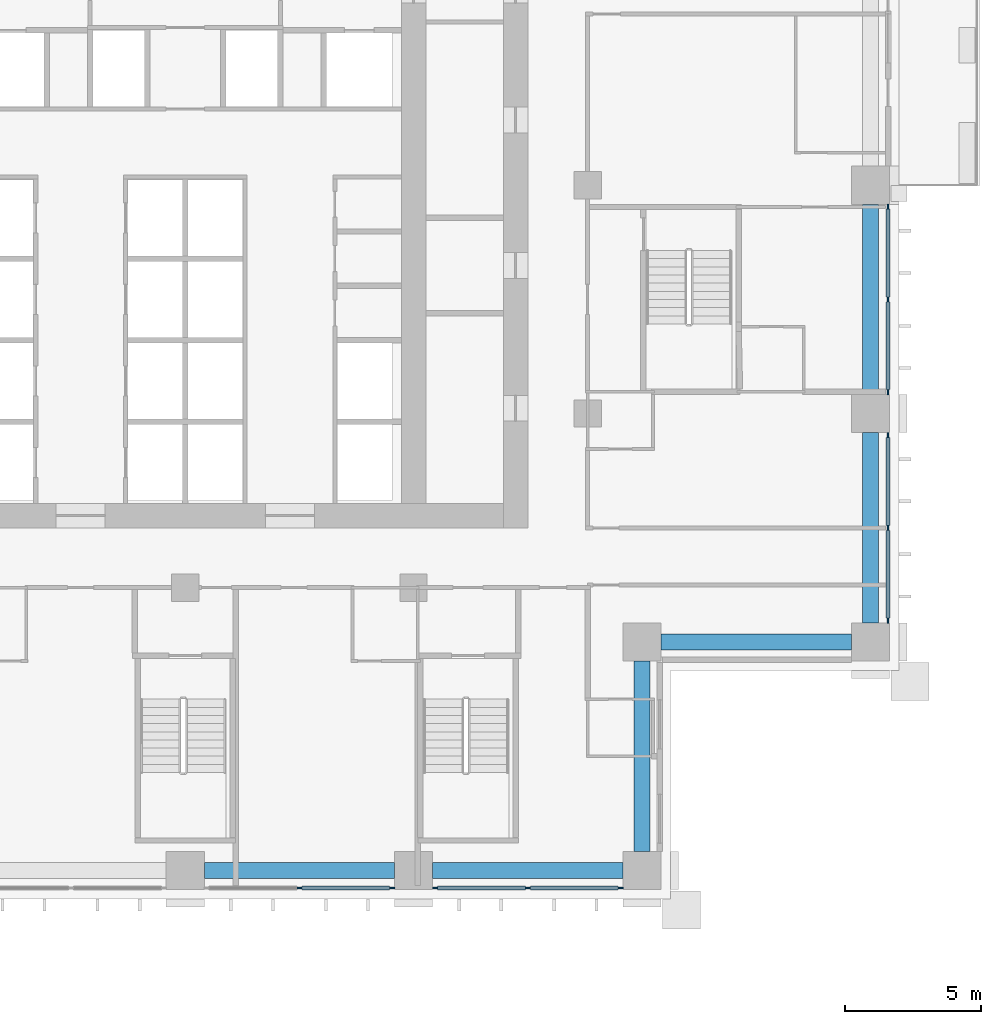
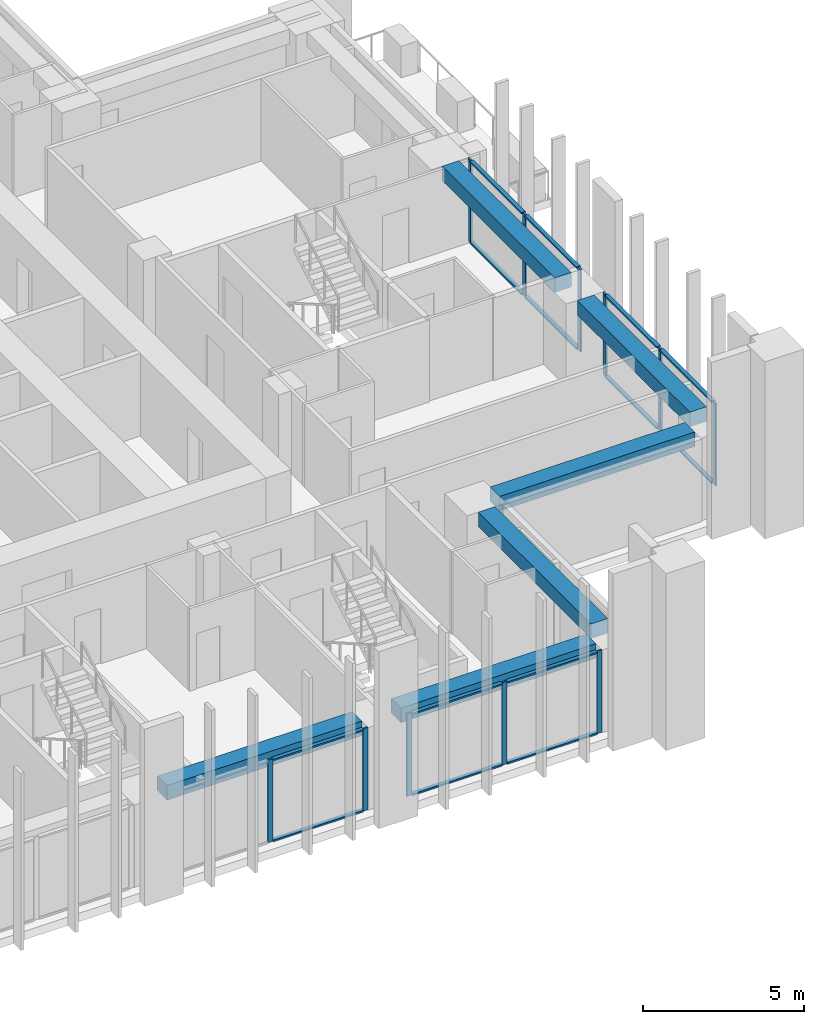
# One storey, part 4 of 17: 25 members, 6 beams, 4 elements without a shape of their own.
"""IFC4 building model written with IfcOpenShell, lengths in metres."""

from ifc_helpers import new_model, si_unit, direction, frame, origin, origin_2d, place, context, subcontext, project, spatial, rectangle, extrude, material, material_profile, profile_set, type_object, element, aggregate, save


model = new_model("IFC4")

# Units and contexts
model_context = context("Model", 3, precision=1e-05, world=origin(), true_north=direction((0.0, 1.0)))
body_context = subcontext(model_context, "Body", "Model", "MODEL_VIEW")
ifc_project = project(units=[si_unit("LENGTHUNIT", "METRE"), si_unit("AREAUNIT", "SQUARE_METRE"), si_unit("VOLUMEUNIT", "CUBIC_METRE"), si_unit("PLANEANGLEUNIT", "RADIAN"), si_unit("MASSUNIT", "GRAM", prefix="KILO")], contexts=[model_context])

# Site, building, storey
site_placement = place(None, origin())
site = spatial("IfcSite", under=ifc_project, at=site_placement, CompositionType="ELEMENT")
building_placement = place(site_placement, origin())
building = spatial("IfcBuilding", under=site, at=building_placement, Name="Vermilion Ogive Tower", CompositionType="ELEMENT")
storey_placement = place(building_placement, frame((0.0, 0.0, 69.0)))
storey = spatial("IfcBuildingStorey", under=building, at=storey_placement, Name="L16", CompositionType="ELEMENT", Elevation=69.0)

# Curtain wall, members
ifc_material_1 = material(Name="Low-iron laminated glazing in aluminium frame", Category="aluminium")
curtain_wall_type = type_object("IfcCurtainWallType", Name="Curtain wall CW7", PredefinedType="NOTDEFINED", material=ifc_material_1)
curtain_wall_1_placement = place(storey_placement, origin())
curtain_wall_1 = element("IfcCurtainWall", 1, at=curtain_wall_1_placement, inside=storey, type_object=curtain_wall_type, Name="Glazed skin S3", PredefinedType="NOTDEFINED")
ifc_material_2 = material(Name="Aluminium mullion", Category="aluminium")
ifc_material_profile_1 = material_profile(ifc_material_2, rectangle(XDim=0.06005859375, YDim=0.179931640625, at=origin_2d()), Name="AL 60x180")
ifc_profile_set_1 = profile_set([ifc_material_profile_1], Name="Aluminium mullion")
member_type_1 = type_object("IfcMemberType", Name="CW7 mullion 60x180", PredefinedType="MULLION", material=ifc_profile_set_1)
member_1_placement = place(storey_placement, frame((4.199951171875, -21.64990234375, 0.0), z_axis=(0.0, 0.0, 1.0), x_axis=(0.0, 1.0, 0.0)))
member_1 = element("IfcMember", 2, at=member_1_placement, type_object=member_type_1, Name="CW7-S3 mullion 2", PredefinedType="MULLION", context=body_context, shape_type="SweptSolid", body=[
    extrude(rectangle(XDim=0.06005859375, YDim=0.179931640625, at=origin_2d()), origin(), (0.0, 0.0, 1.0), 3.1298828125),
])
member_2_placement = place(storey_placement, frame((7.610107421875, -21.64990234375, 0.0), z_axis=(0.0, 0.0, 1.0), x_axis=(0.0, 1.0, 0.0)))
member_2 = element("IfcMember", 3, at=member_2_placement, type_object=member_type_1, Name="CW7-S3 mullion 3", PredefinedType="MULLION", context=body_context, shape_type="SweptSolid", body=[
    extrude(rectangle(XDim=0.06005859375, YDim=0.179931640625, at=origin_2d()), origin(), (0.0, 0.0, 1.0), 3.1298828125),
])

curtain_wall_2_placement = place(storey_placement, origin())
curtain_wall_2 = element("IfcCurtainWall", 4, at=curtain_wall_2_placement, inside=storey, type_object=curtain_wall_type, Name="Glazed skin S4", PredefinedType="NOTDEFINED")
member_3_placement = place(storey_placement, frame((9.18994140625, -21.64990234375, 0.0), z_axis=(0.0, 0.0, 1.0), x_axis=(0.0, 1.0, 0.0)))
member_3 = element("IfcMember", 5, at=member_3_placement, type_object=member_type_1, Name="CW7-S4 mullion 1", PredefinedType="MULLION", context=body_context, shape_type="SweptSolid", body=[
    extrude(rectangle(XDim=0.06005859375, YDim=0.179931640625, at=origin_2d()), origin(), (0.0, 0.0, 1.0), 3.1298828125),
])
member_4_placement = place(storey_placement, frame((12.60009765625, -21.64990234375, 0.0), z_axis=(0.0, 0.0, 1.0), x_axis=(0.0, 1.0, 0.0)))
member_4 = element("IfcMember", 6, at=member_4_placement, type_object=member_type_1, Name="CW7-S4 mullion 2", PredefinedType="MULLION", context=body_context, shape_type="SweptSolid", body=[
    extrude(rectangle(XDim=0.06005859375, YDim=0.179931640625, at=origin_2d()), origin(), (0.0, 0.0, 1.0), 3.1298828125),
])
member_5_placement = place(storey_placement, frame((16.010009765625, -21.64990234375, 0.0), z_axis=(0.0, 0.0, 1.0), x_axis=(0.0, 1.0, 0.0)))
member_5 = element("IfcMember", 7, at=member_5_placement, type_object=member_type_1, Name="CW7-S4 mullion 3", PredefinedType="MULLION", context=body_context, shape_type="SweptSolid", body=[
    extrude(rectangle(XDim=0.06005859375, YDim=0.179931640625, at=origin_2d()), origin(), (0.0, 0.0, 1.0), 3.1298828125),
])

curtain_wall_3_placement = place(storey_placement, origin())
curtain_wall_3 = element("IfcCurtainWall", 8, at=curtain_wall_3_placement, inside=storey, type_object=curtain_wall_type, Name="Glazed skin E1", PredefinedType="NOTDEFINED")
member_6_placement = place(storey_placement, frame((25.85009765625, -11.81005859375, 0.0), z_axis=(0.0, 0.0, 1.0), x_axis=(-1.0, 0.0, 0.0)))
member_6 = element("IfcMember", 9, at=member_6_placement, type_object=member_type_1, Name="CW7-E1 mullion 1", PredefinedType="MULLION", context=body_context, shape_type="SweptSolid", body=[
    extrude(rectangle(XDim=0.06005859375, YDim=0.179931640625, at=origin_2d()), origin(), (0.0, 0.0, 1.0), 3.1298828125),
])
member_7_placement = place(storey_placement, frame((25.85009765625, -8.39990234375, 0.0), z_axis=(0.0, 0.0, 1.0), x_axis=(-1.0, 0.0, 0.0)))
member_7 = element("IfcMember", 10, at=member_7_placement, type_object=member_type_1, Name="CW7-E1 mullion 2", PredefinedType="MULLION", context=body_context, shape_type="SweptSolid", body=[
    extrude(rectangle(XDim=0.06005859375, YDim=0.179931640625, at=origin_2d()), origin(), (0.0, 0.0, 1.0), 3.1298828125),
])
member_8_placement = place(storey_placement, frame((25.85009765625, -4.989990234375, 0.0), z_axis=(0.0, 0.0, 1.0), x_axis=(-1.0, 0.0, 0.0)))
member_8 = element("IfcMember", 11, at=member_8_placement, type_object=member_type_1, Name="CW7-E1 mullion 3", PredefinedType="MULLION", context=body_context, shape_type="SweptSolid", body=[
    extrude(rectangle(XDim=0.06005859375, YDim=0.179931640625, at=origin_2d()), origin(), (0.0, 0.0, 1.0), 3.1298828125),
])

curtain_wall_4_placement = place(storey_placement, origin())
curtain_wall_4 = element("IfcCurtainWall", 12, at=curtain_wall_4_placement, inside=storey, type_object=curtain_wall_type, Name="Glazed skin E2", PredefinedType="NOTDEFINED")
member_9_placement = place(storey_placement, frame((25.85009765625, -3.409912109375, 0.0), z_axis=(0.0, 0.0, 1.0), x_axis=(-1.0, 0.0, 0.0)))
member_9 = element("IfcMember", 13, at=member_9_placement, type_object=member_type_1, Name="CW7-E2 mullion 1", PredefinedType="MULLION", context=body_context, shape_type="SweptSolid", body=[
    extrude(rectangle(XDim=0.06005859375, YDim=0.179931640625, at=origin_2d()), origin(), (0.0, 0.0, 1.0), 3.1298828125),
])
member_10_placement = place(storey_placement, frame((25.85009765625, 0.0, 0.0), z_axis=(0.0, 0.0, 1.0), x_axis=(-1.0, 0.0, 0.0)))
member_10 = element("IfcMember", 14, at=member_10_placement, type_object=member_type_1, Name="CW7-E2 mullion 2", PredefinedType="MULLION", context=body_context, shape_type="SweptSolid", body=[
    extrude(rectangle(XDim=0.06005859375, YDim=0.179931640625, at=origin_2d()), origin(), (0.0, 0.0, 1.0), 3.1298828125),
])
member_11_placement = place(storey_placement, frame((25.85009765625, 3.409912109375, 0.0), z_axis=(0.0, 0.0, 1.0), x_axis=(-1.0, 0.0, 0.0)))
member_11 = element("IfcMember", 15, at=member_11_placement, type_object=member_type_1, Name="CW7-E2 mullion 3", PredefinedType="MULLION", context=body_context, shape_type="SweptSolid", body=[
    extrude(rectangle(XDim=0.06005859375, YDim=0.179931640625, at=origin_2d()), origin(), (0.0, 0.0, 1.0), 3.1298828125),
])

# Member
ifc_material_3 = material(Name="Aluminium transom", Category="aluminium")
ifc_material_profile_2 = material_profile(ifc_material_3, rectangle(XDim=0.139892578125, YDim=0.06005859375, at=origin_2d()), Name="AL 60x140")
ifc_profile_set_2 = profile_set([ifc_material_profile_2], Name="Aluminium transom")
member_type_2 = type_object("IfcMemberType", Name="CW7 transom 60x140", PredefinedType="USERDEFINED", material=ifc_profile_set_2)
member_12_placement = place(storey_placement, frame((4.2900390625, -21.64990234375, 0.030029296875), z_axis=(1.0, 0.0, 0.0), x_axis=(0.0, 1.0, 0.0)))
member_12 = element("IfcMember", 16, at=member_12_placement, type_object=member_type_2, Name="CW7-S3 transom 2.1", ObjectType="TRANSOM", PredefinedType="USERDEFINED", context=body_context, shape_type="SweptSolid", body=[
    extrude(rectangle(XDim=0.139892578125, YDim=0.06005859375, at=origin_2d()), origin(), (0.0, 0.0, 1.0), 3.22998046875),
])

member_13_placement = place(storey_placement, frame((4.2900390625, -21.64990234375, 3.10009765625), z_axis=(1.0, 0.0, 0.0), x_axis=(0.0, 1.0, 0.0)))
member_13 = element("IfcMember", 17, at=member_13_placement, type_object=member_type_2, Name="CW7-S3 transom 2.2", ObjectType="TRANSOM", PredefinedType="USERDEFINED", context=body_context, shape_type="SweptSolid", body=[
    extrude(rectangle(XDim=0.139892578125, YDim=0.06005859375, at=origin_2d()), origin(), (0.0, 0.0, 1.0), 3.22998046875),
])

aggregate(curtain_wall_1, [member_1, member_2, member_12, member_13])

member_14_placement = place(storey_placement, frame((9.280029296875, -21.64990234375, 0.030029296875), z_axis=(1.0, 0.0, 0.0), x_axis=(0.0, 1.0, 0.0)))
member_14 = element("IfcMember", 18, at=member_14_placement, type_object=member_type_2, Name="CW7-S4 transom 1.1", ObjectType="TRANSOM", PredefinedType="USERDEFINED", context=body_context, shape_type="SweptSolid", body=[
    extrude(rectangle(XDim=0.139892578125, YDim=0.06005859375, at=origin_2d()), origin(), (0.0, 0.0, 1.0), 3.22998046875),
])

member_15_placement = place(storey_placement, frame((9.280029296875, -21.64990234375, 3.10009765625), z_axis=(1.0, 0.0, 0.0), x_axis=(0.0, 1.0, 0.0)))
member_15 = element("IfcMember", 19, at=member_15_placement, type_object=member_type_2, Name="CW7-S4 transom 1.2", ObjectType="TRANSOM", PredefinedType="USERDEFINED", context=body_context, shape_type="SweptSolid", body=[
    extrude(rectangle(XDim=0.139892578125, YDim=0.06005859375, at=origin_2d()), origin(), (0.0, 0.0, 1.0), 3.22998046875),
])

member_16_placement = place(storey_placement, frame((12.68994140625, -21.64990234375, 0.030029296875), z_axis=(1.0, 0.0, 0.0), x_axis=(0.0, 1.0, 0.0)))
member_16 = element("IfcMember", 20, at=member_16_placement, type_object=member_type_2, Name="CW7-S4 transom 2.1", ObjectType="TRANSOM", PredefinedType="USERDEFINED", context=body_context, shape_type="SweptSolid", body=[
    extrude(rectangle(XDim=0.139892578125, YDim=0.06005859375, at=origin_2d()), origin(), (0.0, 0.0, 1.0), 3.22998046875),
])

member_17_placement = place(storey_placement, frame((12.68994140625, -21.64990234375, 3.10009765625), z_axis=(1.0, 0.0, 0.0), x_axis=(0.0, 1.0, 0.0)))
member_17 = element("IfcMember", 21, at=member_17_placement, type_object=member_type_2, Name="CW7-S4 transom 2.2", ObjectType="TRANSOM", PredefinedType="USERDEFINED", context=body_context, shape_type="SweptSolid", body=[
    extrude(rectangle(XDim=0.139892578125, YDim=0.06005859375, at=origin_2d()), origin(), (0.0, 0.0, 1.0), 3.22998046875),
])

aggregate(curtain_wall_2, [member_3, member_4, member_5, member_14, member_15, member_16, member_17])

member_18_placement = place(storey_placement, frame((25.85009765625, -11.719970703125, 0.030029296875), z_axis=(0.0, 1.0, 0.0), x_axis=(-1.0, 0.0, 0.0)))
member_18 = element("IfcMember", 22, at=member_18_placement, type_object=member_type_2, Name="CW7-E1 transom 1.1", ObjectType="TRANSOM", PredefinedType="USERDEFINED", context=body_context, shape_type="SweptSolid", body=[
    extrude(rectangle(XDim=0.139892578125, YDim=0.06005859375, at=origin_2d()), origin(), (0.0, 0.0, 1.0), 3.22998046875),
])

member_19_placement = place(storey_placement, frame((25.85009765625, -11.719970703125, 3.10009765625), z_axis=(0.0, 1.0, 0.0), x_axis=(-1.0, 0.0, 0.0)))
member_19 = element("IfcMember", 23, at=member_19_placement, type_object=member_type_2, Name="CW7-E1 transom 1.2", ObjectType="TRANSOM", PredefinedType="USERDEFINED", context=body_context, shape_type="SweptSolid", body=[
    extrude(rectangle(XDim=0.139892578125, YDim=0.06005859375, at=origin_2d()), origin(), (0.0, 0.0, 1.0), 3.22998046875),
])

member_20_placement = place(storey_placement, frame((25.85009765625, -8.31005859375, 0.030029296875), z_axis=(0.0, 1.0, 0.0), x_axis=(-1.0, 0.0, 0.0)))
member_20 = element("IfcMember", 24, at=member_20_placement, type_object=member_type_2, Name="CW7-E1 transom 2.1", ObjectType="TRANSOM", PredefinedType="USERDEFINED", context=body_context, shape_type="SweptSolid", body=[
    extrude(rectangle(XDim=0.139892578125, YDim=0.06005859375, at=origin_2d()), origin(), (0.0, 0.0, 1.0), 3.22998046875),
])

member_21_placement = place(storey_placement, frame((25.85009765625, -8.31005859375, 3.10009765625), z_axis=(0.0, 1.0, 0.0), x_axis=(-1.0, 0.0, 0.0)))
member_21 = element("IfcMember", 25, at=member_21_placement, type_object=member_type_2, Name="CW7-E1 transom 2.2", ObjectType="TRANSOM", PredefinedType="USERDEFINED", context=body_context, shape_type="SweptSolid", body=[
    extrude(rectangle(XDim=0.139892578125, YDim=0.06005859375, at=origin_2d()), origin(), (0.0, 0.0, 1.0), 3.22998046875),
])

aggregate(curtain_wall_3, [member_6, member_7, member_8, member_18, member_19, member_20, member_21])

member_22_placement = place(storey_placement, frame((25.85009765625, -3.320068359375, 0.030029296875), z_axis=(0.0, 1.0, 0.0), x_axis=(-1.0, 0.0, 0.0)))
member_22 = element("IfcMember", 26, at=member_22_placement, type_object=member_type_2, Name="CW7-E2 transom 1.1", ObjectType="TRANSOM", PredefinedType="USERDEFINED", context=body_context, shape_type="SweptSolid", body=[
    extrude(rectangle(XDim=0.139892578125, YDim=0.06005859375, at=origin_2d()), origin(), (0.0, 0.0, 1.0), 3.22998046875),
])

member_23_placement = place(storey_placement, frame((25.85009765625, -3.320068359375, 3.10009765625), z_axis=(0.0, 1.0, 0.0), x_axis=(-1.0, 0.0, 0.0)))
member_23 = element("IfcMember", 27, at=member_23_placement, type_object=member_type_2, Name="CW7-E2 transom 1.2", ObjectType="TRANSOM", PredefinedType="USERDEFINED", context=body_context, shape_type="SweptSolid", body=[
    extrude(rectangle(XDim=0.139892578125, YDim=0.06005859375, at=origin_2d()), origin(), (0.0, 0.0, 1.0), 3.22998046875),
])

member_24_placement = place(storey_placement, frame((25.85009765625, 0.090087890625, 0.030029296875), z_axis=(0.0, 1.0, 0.0), x_axis=(-1.0, 0.0, 0.0)))
member_24 = element("IfcMember", 28, at=member_24_placement, type_object=member_type_2, Name="CW7-E2 transom 2.1", ObjectType="TRANSOM", PredefinedType="USERDEFINED", context=body_context, shape_type="SweptSolid", body=[
    extrude(rectangle(XDim=0.139892578125, YDim=0.06005859375, at=origin_2d()), origin(), (0.0, 0.0, 1.0), 3.22998046875),
])

member_25_placement = place(storey_placement, frame((25.85009765625, 0.090087890625, 3.10009765625), z_axis=(0.0, 1.0, 0.0), x_axis=(-1.0, 0.0, 0.0)))
member_25 = element("IfcMember", 29, at=member_25_placement, type_object=member_type_2, Name="CW7-E2 transom 2.2", ObjectType="TRANSOM", PredefinedType="USERDEFINED", context=body_context, shape_type="SweptSolid", body=[
    extrude(rectangle(XDim=0.139892578125, YDim=0.06005859375, at=origin_2d()), origin(), (0.0, 0.0, 1.0), 3.22998046875),
])

aggregate(curtain_wall_4, [member_9, member_10, member_11, member_22, member_23, member_24, member_25])

# Beams
ifc_material_4 = material(Name="Concrete B45", Category="concrete")
ifc_material_profile_3 = material_profile(ifc_material_4, rectangle(XDim=0.60009765625, YDim=0.550048828125, at=origin_2d()), Name="600 x 550")
ifc_profile_set_3 = profile_set([ifc_material_profile_3], Name="Concrete B45")
beam_type = type_object("IfcBeamType", Name="Edge beam 600 x 550 B45", PredefinedType="BEAM", material=ifc_profile_set_3)
for number, where, z_axis, x_axis, name in (
    (30, (0.699951171875, -21.0, 2.85498046875), (1.0, 0.0, 0.0), (0.0, 1.0, 0.0), "L16-EB-3"),
    (31, (9.10009765625, -21.0, 2.85498046875), (1.0, 0.0, 0.0), (0.0, 1.0, 0.0), "L16-EB-4"),
    (32, (16.800048828125, -20.300048828125, 2.85498046875), (0.0, 1.0, 0.0), (-1.0, 0.0, 0.0), "L16-EB-5"),
    (33, (17.5, -12.60009765625, 2.85498046875), (1.0, 0.0, 0.0), (0.0, 1.0, 0.0), "L16-EB-6"),
    (34, (25.199951171875, -11.89990234375, 2.85498046875), (0.0, 1.0, 0.0), (-1.0, 0.0, 0.0), "L16-EB-7"),
    (35, (25.199951171875, -3.5, 2.85498046875), (0.0, 1.0, 0.0), (-1.0, 0.0, 0.0), "L16-EB-8"),
):
    element("IfcBeam", number, at=place(storey_placement, frame(where, z_axis=z_axis, x_axis=x_axis)), inside=storey, type_object=beam_type, Name=name, PredefinedType="BEAM", context=body_context, shape_type="SweptSolid", body=[
        extrude(rectangle(XDim=0.60009765625, YDim=0.550048828125, at=origin_2d()), origin(), (0.0, 0.0, 1.0), 7.0),
    ])

save(model, "model.ifc")
